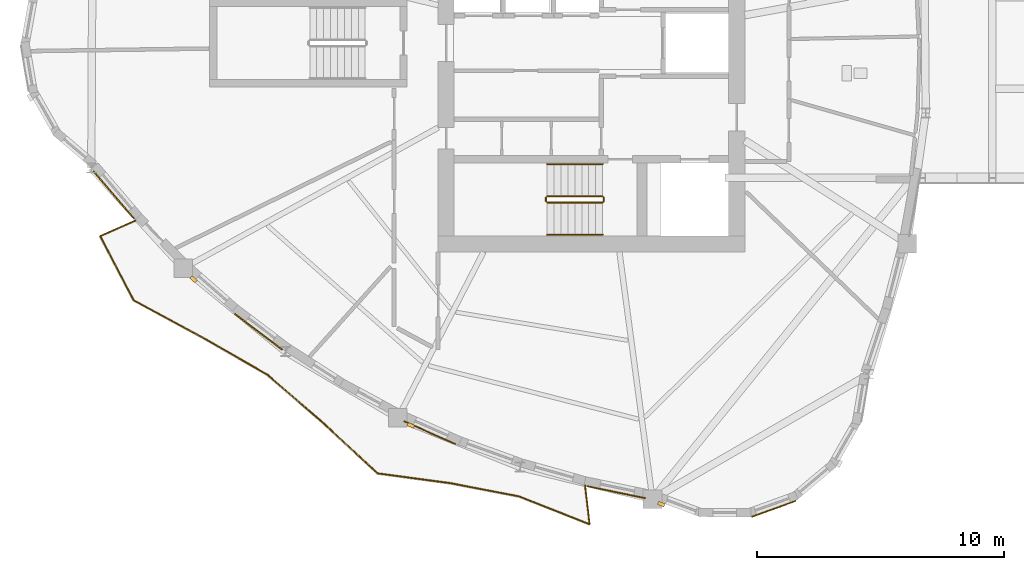
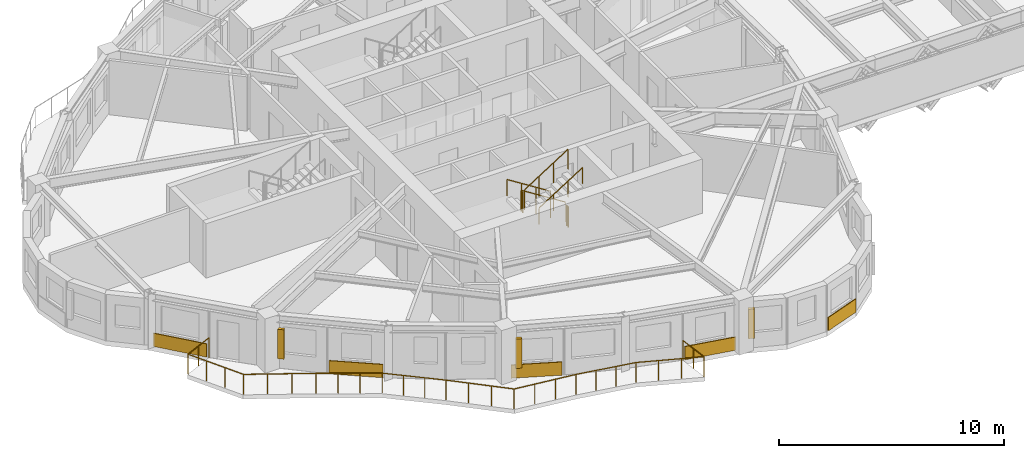
# One storey, part 10 of 13: 7 railings, 5 coverings, 3 shading devices.
"""IFC4 building model written with IfcOpenShell, lengths in metres."""

from ifc_helpers import new_model, si_unit, direction, frame, origin, origin_2d, place, context, subcontext, project, spatial, rectangle, circle, extrude, source, transform, mapped, material, layer, layer_set, type_object, element, save


model = new_model("IFC4")

# Units and contexts
model_context = context("Model", 3, precision=1e-05, world=origin(), true_north=direction((0.0, 1.0)))
body_context = subcontext(model_context, "Body", "Model", "MODEL_VIEW")
ifc_project = project(units=[si_unit("LENGTHUNIT", "METRE"), si_unit("AREAUNIT", "SQUARE_METRE"), si_unit("VOLUMEUNIT", "CUBIC_METRE"), si_unit("PLANEANGLEUNIT", "RADIAN"), si_unit("MASSUNIT", "GRAM", prefix="KILO")], contexts=[model_context])

# Site, building, storey
site_placement = place(None, origin())
site = spatial("IfcSite", under=ifc_project, at=site_placement, CompositionType="ELEMENT")
building_placement = place(site_placement, origin())
building = spatial("IfcBuilding", under=site, at=building_placement, Name="Qafzar Sky-Pleat Residences", CompositionType="ELEMENT")
storey_placement = place(building_placement, frame((0.0, 0.0, 158.60009765625)))
storey = spatial("IfcBuildingStorey", under=building, at=storey_placement, Name="L47", CompositionType="ELEMENT", Elevation=158.60009765625)

# Shading devices
ifc_material_1 = material(Name="Honed Riyadh limestone solar fin", Category="masonry")
ifc_layer_1 = layer(ifc_material_1, 0.139892578125)
ifc_layer_set_1 = layer_set([ifc_layer_1], Name="Honed Riyadh limestone solar fin")
shading_device_type = type_object("IfcShadingDeviceType", Name="SHD-FIN-STONE", PredefinedType="SHUTTER", material=ifc_layer_set_1)
shared_shape_1 = source(origin(), body_context, "Body", "SweptSolid", [
    extrude(rectangle(XDim=0.139892578125, YDim=0.280029296875, at=origin_2d()), origin(), (0.0, 0.0, 1.0), 1.60009765625),
])
for number, where, z_axis, x_axis, name in (
    (1, (14.259033203125, 16.4443359375, 0.599853515625), (0.0, 0.0, 1.0), (-0.66015795456, -0.751126803563, 0.0), "L47 Limestone Solar Fin 9"),
    (2, (23.052001953125, 10.533935546875, 0.599853515625), (0.0, 0.0, 1.0), (-0.407523392888, -0.913194767971, 0.0), "L47 Limestone Solar Fin 13"),
    (3, (33.17236328125, 7.3525390625, 0.599853515625), (0.0, 0.0, 1.0), (-0.349591808799, -0.936902111867, 0.0), "L47 Limestone Solar Fin 17"),
):
    element("IfcShadingDevice", number, at=place(storey_placement, frame(where, z_axis=z_axis, x_axis=x_axis)), inside=storey, type_object=shading_device_type, Name=name, PredefinedType="SHUTTER", context=body_context, shape_type="MappedRepresentation", body=[
        mapped(shared_shape_1, transform((0.0, 0.0, 0.0), x_axis=(1.0, 0.0, 0.0), y_axis=(0.0, 1.0, 0.0), z_axis=(0.0, 0.0, 1.0), scale=1.0)),
    ])

# Railing
ifc_material_2 = material(Name="Laminated glass and bronze steel balustrade", Category="steel")
railing_type_1 = type_object("IfcRailingType", Name="RAIL-BAL-1100", PredefinedType="BALUSTRADE", material=ifc_material_2)
shared_shape_2 = source(origin(), body_context, "Body", "SweptSolid", [
    extrude(circle(Radius=0.02392578125, at=origin_2d()), frame((0.0, 0.0, 1.076171875), z_axis=(-0.913242763887, -0.407415824689, 0.0), x_axis=(0.407415824689, -0.913242763887, 0.0)), (0.0, 0.0, 1.0), 1.577880859375),
    extrude(circle(Radius=0.02392578125, at=origin_2d()), frame((-1.44091796875, -0.642822265625, 1.076171875), z_axis=(0.463779078559, -0.88595088255, 0.0), x_axis=(0.88595088255, 0.463779078559, 0.0)), (0.0, 0.0, 1.0), 2.922119140625),
    extrude(circle(Radius=0.02392578125, at=origin_2d()), frame((-0.085693359375, -3.231689453125, 1.076171875), z_axis=(0.879301197534, -0.476266106305, 0.0), x_axis=(0.476266106305, 0.879301197534, 0.0)), (0.0, 0.0, 1.0), 3.23046875),
    extrude(circle(Radius=0.02392578125, at=origin_2d()), frame((2.7548828125, -4.770263671875, 1.076171875), z_axis=(0.867569052285, -0.49731673963, 0.0), x_axis=(0.49731673963, 0.867569052285, 0.0)), (0.0, 0.0, 1.0), 2.945556640625),
    extrude(circle(Radius=0.02392578125, at=origin_2d()), frame((5.310302734375, -6.235107421875, 1.076171875), z_axis=(0.75730029901, -0.653066809078, 0.0), x_axis=(0.653066809078, 0.75730029901, 0.0)), (0.0, 0.0, 1.0), 2.8857421875),
    extrude(circle(Radius=0.02392578125, at=origin_2d()), frame((7.49560546875, -8.11962890625, 1.076171875), z_axis=(0.734057417047, -0.67908740857, 0.0), x_axis=(0.67908740857, 0.734057417047, 0.0)), (0.0, 0.0, 1.0), 3.11328125),
    extrude(circle(Radius=0.02392578125, at=origin_2d()), frame((9.781005859375, -10.23388671875, 1.076171875), z_axis=(0.991073421264, -0.133317191933, 0.0), x_axis=(0.133317191933, 0.991073421264, 0.0)), (0.0, 0.0, 1.0), 2.966552734375),
    extrude(circle(Radius=0.02392578125, at=origin_2d()), frame((12.72119140625, -10.62939453125, 1.076171875), z_axis=(0.981967689152, -0.189048822958, 0.0), x_axis=(0.189048822958, 0.981967689152, 0.0)), (0.0, 0.0, 1.0), 2.83203125),
    extrude(circle(Radius=0.02392578125, at=origin_2d()), frame((15.502197265625, -11.164794921875, 1.076171875), z_axis=(0.929959452152, -0.367662096705, 0.0), x_axis=(0.367662096705, 0.929959452152, 0.0)), (0.0, 0.0, 1.0), 3.061767578125),
    extrude(circle(Radius=0.02392578125, at=origin_2d()), frame((18.349609375, -12.29052734375, 1.076171875), z_axis=(-0.116203811721, 0.993225389396, 0.0), x_axis=(-0.993225389396, -0.116203811721, 0.0)), (0.0, 0.0, 1.0), 1.577880859375),
    extrude(circle(Radius=0.02099609375, at=origin_2d()), origin(), (0.0, 0.0, 1.0), 1.052001953125),
    extrude(circle(Radius=0.02099609375, at=origin_2d()), frame((-0.720458984375, -0.3212890625, 0.0)), (0.0, 0.0, 1.0), 1.052001953125),
    extrude(circle(Radius=0.02099609375, at=origin_2d()), frame((-1.44091796875, -0.642822265625, 0.0)), (0.0, 0.0, 1.0), 1.052001953125),
    extrude(circle(Radius=0.02099609375, at=origin_2d()), frame((-0.9892578125, -1.505859375, 0.0)), (0.0, 0.0, 1.0), 1.052001953125),
    extrude(circle(Radius=0.02099609375, at=origin_2d()), frame((-0.537353515625, -2.36865234375, 0.0)), (0.0, 0.0, 1.0), 1.052001953125),
    extrude(circle(Radius=0.02099609375, at=origin_2d()), frame((-0.085693359375, -3.231689453125, 0.0)), (0.0, 0.0, 1.0), 1.052001953125),
    extrude(circle(Radius=0.02099609375, at=origin_2d()), frame((0.861083984375, -3.74462890625, 0.0)), (0.0, 0.0, 1.0), 1.052001953125),
    extrude(circle(Radius=0.02099609375, at=origin_2d()), frame((1.80810546875, -4.25732421875, 0.0)), (0.0, 0.0, 1.0), 1.052001953125),
    extrude(circle(Radius=0.02099609375, at=origin_2d()), frame((2.7548828125, -4.770263671875, 0.0)), (0.0, 0.0, 1.0), 1.052001953125),
    extrude(circle(Radius=0.02099609375, at=origin_2d()), frame((3.606689453125, -5.258544921875, 0.0)), (0.0, 0.0, 1.0), 1.052001953125),
    extrude(circle(Radius=0.02099609375, at=origin_2d()), frame((4.45849609375, -5.746826171875, 0.0)), (0.0, 0.0, 1.0), 1.052001953125),
    extrude(circle(Radius=0.02099609375, at=origin_2d()), frame((5.310302734375, -6.235107421875, 0.0)), (0.0, 0.0, 1.0), 1.052001953125),
    extrude(circle(Radius=0.02099609375, at=origin_2d()), frame((6.038818359375, -6.86328125, 0.0)), (0.0, 0.0, 1.0), 1.052001953125),
    extrude(circle(Radius=0.02099609375, at=origin_2d()), frame((6.76708984375, -7.491455078125, 0.0)), (0.0, 0.0, 1.0), 1.052001953125),
    extrude(circle(Radius=0.02099609375, at=origin_2d()), frame((7.49560546875, -8.11962890625, 0.0)), (0.0, 0.0, 1.0), 1.052001953125),
    extrude(circle(Radius=0.02099609375, at=origin_2d()), frame((8.25732421875, -8.824462890625, 0.0)), (0.0, 0.0, 1.0), 1.052001953125),
    extrude(circle(Radius=0.02099609375, at=origin_2d()), frame((9.019287109375, -9.529052734375, 0.0)), (0.0, 0.0, 1.0), 1.052001953125),
    extrude(circle(Radius=0.02099609375, at=origin_2d()), frame((9.781005859375, -10.23388671875, 0.0)), (0.0, 0.0, 1.0), 1.052001953125),
    extrude(circle(Radius=0.02099609375, at=origin_2d()), frame((10.760986328125, -10.36572265625, 0.0)), (0.0, 0.0, 1.0), 1.052001953125),
    extrude(circle(Radius=0.02099609375, at=origin_2d()), frame((11.7412109375, -10.49755859375, 0.0)), (0.0, 0.0, 1.0), 1.052001953125),
    extrude(circle(Radius=0.02099609375, at=origin_2d()), frame((12.72119140625, -10.62939453125, 0.0)), (0.0, 0.0, 1.0), 1.052001953125),
    extrude(circle(Radius=0.02099609375, at=origin_2d()), frame((13.648193359375, -10.807861328125, 0.0)), (0.0, 0.0, 1.0), 1.052001953125),
    extrude(circle(Radius=0.02099609375, at=origin_2d()), frame((14.5751953125, -10.986328125, 0.0)), (0.0, 0.0, 1.0), 1.052001953125),
    extrude(circle(Radius=0.02099609375, at=origin_2d()), frame((15.502197265625, -11.164794921875, 0.0)), (0.0, 0.0, 1.0), 1.052001953125),
    extrude(circle(Radius=0.02099609375, at=origin_2d()), frame((16.451416015625, -11.5400390625, 0.0)), (0.0, 0.0, 1.0), 1.052001953125),
    extrude(circle(Radius=0.02099609375, at=origin_2d()), frame((17.400390625, -11.915283203125, 0.0)), (0.0, 0.0, 1.0), 1.052001953125),
    extrude(circle(Radius=0.02099609375, at=origin_2d()), frame((18.349609375, -12.29052734375, 0.0)), (0.0, 0.0, 1.0), 1.052001953125),
    extrude(circle(Radius=0.02099609375, at=origin_2d()), frame((18.2578125, -11.5068359375, 0.0)), (0.0, 0.0, 1.0), 1.052001953125),
    extrude(circle(Radius=0.02099609375, at=origin_2d()), frame((18.166259765625, -10.723388671875, 0.0)), (0.0, 0.0, 1.0), 1.052001953125),
])
railing_1_placement = place(storey_placement, frame((11.92529296875, 18.8291015625, 0.0)))
element("IfcRailing", 4, at=railing_1_placement, inside=storey, type_object=railing_type_1, Name="L47 Pleated Balcony 2 Balustrade", PredefinedType="BALUSTRADE", context=body_context, shape_type="MappedRepresentation", body=[
    mapped(shared_shape_2, transform((0.0, 0.0, 0.0), x_axis=(1.0, 0.0, 0.0), y_axis=(0.0, 1.0, 0.0), z_axis=(0.0, 0.0, 1.0), scale=1.0)),
])

# Coverings
ifc_material_3 = material(Name="Honed Riyadh Tuwaiq limestone cladding", Category="masonry")
ifc_layer_2 = layer(ifc_material_3, 0.044921875)
ifc_layer_set_2 = layer_set([ifc_layer_2], Name="Honed Riyadh Tuwaiq limestone cladding")
covering_type = type_object("IfcCoveringType", Name="COV-CLAD-STONE", PredefinedType="CLADDING", material=ifc_layer_set_2)
shared_shape_3 = source(origin(), body_context, "Body", "SweptSolid", [
    extrude(rectangle(XDim=2.522705078125, YDim=0.044921875, at=origin_2d()), origin(), (0.0, 0.0, 1.0), 0.719970703125),
])
covering_1_placement = place(storey_placement, frame((11.032958984375, 19.855712890625, 0.02001953125), z_axis=(0.0, 0.0, 1.0), x_axis=(0.650335864114, -0.759646802038, 0.0)))
element("IfcCovering", 5, at=covering_1_placement, inside=storey, type_object=covering_type, Name="L47 Riyadh Limestone Spandrel Cladding 7", PredefinedType="CLADDING", context=body_context, shape_type="MappedRepresentation", body=[
    mapped(shared_shape_3, transform((0.0, 0.0, 0.0), x_axis=(1.0, 0.0, 0.0), y_axis=(0.0, 1.0, 0.0), z_axis=(0.0, 0.0, 1.0), scale=1.0)),
])
shared_shape_4 = source(origin(), body_context, "Body", "SweptSolid", [
    extrude(rectangle(XDim=2.403076171875, YDim=0.044921875, at=origin_2d()), origin(), (0.0, 0.0, 1.0), 0.719970703125),
])
covering_2_placement = place(storey_placement, frame((16.8857421875, 14.321044921875, 0.02001953125), z_axis=(0.0, 0.0, 1.0), x_axis=(0.798031812504, -0.602615321936, 0.0)))
element("IfcCovering", 6, at=covering_2_placement, inside=storey, type_object=covering_type, Name="L47 Riyadh Limestone Spandrel Cladding 10", PredefinedType="CLADDING", context=body_context, shape_type="MappedRepresentation", body=[
    mapped(shared_shape_4, transform((0.0, 0.0, 0.0), x_axis=(1.0, 0.0, 0.0), y_axis=(0.0, 1.0, 0.0), z_axis=(0.0, 0.0, 1.0), scale=1.0)),
])
shared_shape_5 = source(origin(), body_context, "Body", "SweptSolid", [
    extrude(rectangle(XDim=2.281494140625, YDim=0.044921875, at=origin_2d()), origin(), (0.0, 0.0, 1.0), 0.719970703125),
])
covering_3_placement = place(storey_placement, frame((23.80908203125, 10.2431640625, 0.02001953125), z_axis=(0.0, 0.0, 1.0), x_axis=(0.913200537505, -0.407510464038, 0.0)))
element("IfcCovering", 7, at=covering_3_placement, inside=storey, type_object=covering_type, Name="L47 Riyadh Limestone Spandrel Cladding 13", PredefinedType="CLADDING", context=body_context, shape_type="MappedRepresentation", body=[
    mapped(shared_shape_5, transform((0.0, 0.0, 0.0), x_axis=(1.0, 0.0, 0.0), y_axis=(0.0, 1.0, 0.0), z_axis=(0.0, 0.0, 1.0), scale=1.0)),
])
shared_shape_6 = source(origin(), body_context, "Body", "SweptSolid", [
    extrude(rectangle(XDim=2.401123046875, YDim=0.044921875, at=origin_2d()), origin(), (0.0, 0.0, 1.0), 0.719970703125),
])
covering_4_placement = place(storey_placement, frame((31.35498046875, 7.833984375, 0.02001953125), z_axis=(0.0, 0.0, 1.0), x_axis=(0.979318332698, -0.202325488363, 0.0)))
element("IfcCovering", 8, at=covering_4_placement, inside=storey, type_object=covering_type, Name="L47 Riyadh Limestone Spandrel Cladding 16", PredefinedType="CLADDING", context=body_context, shape_type="MappedRepresentation", body=[
    mapped(shared_shape_6, transform((0.0, 0.0, 0.0), x_axis=(1.0, 0.0, 0.0), y_axis=(0.0, 1.0, 0.0), z_axis=(0.0, 0.0, 1.0), scale=1.0)),
])
shared_shape_7 = source(origin(), body_context, "Body", "SweptSolid", [
    extrude(rectangle(XDim=1.89794921875, YDim=0.044921875, at=origin_2d()), origin(), (0.0, 0.0, 1.0), 0.719970703125),
])
covering_5_placement = place(storey_placement, frame((37.7177734375, 7.1591796875, 0.02001953125), z_axis=(0.0, 0.0, 1.0), x_axis=(0.940231559433, 0.340535775867, 0.0)))
element("IfcCovering", 9, at=covering_5_placement, inside=storey, type_object=covering_type, Name="L47 Riyadh Limestone Spandrel Cladding 19", PredefinedType="CLADDING", context=body_context, shape_type="MappedRepresentation", body=[
    mapped(shared_shape_7, transform((0.0, 0.0, 0.0), x_axis=(1.0, 0.0, 0.0), y_axis=(0.0, 1.0, 0.0), z_axis=(0.0, 0.0, 1.0), scale=1.0)),
])

# Railings
ifc_material_4 = material(Name="Painted Steel S355 stair guardrail", Category="steel")
railing_type_2 = type_object("IfcRailingType", Name="RAIL-STAIR-GUARD", PredefinedType="GUARDRAIL", material=ifc_material_4)
shared_shape_8 = source(origin(), body_context, "Body", "SweptSolid", [
    extrude(circle(Radius=0.02392578125, at=origin_2d()), frame((0.0, 0.0, 1.076171875), z_axis=(0.0, -1.0, 0.0), x_axis=(1.0, 0.0, 0.0)), (0.0, 0.0, 1.0), 0.14990234375),
    extrude(circle(Radius=0.02099609375, at=origin_2d()), origin(), (0.0, 0.0, 1.0), 1.052001953125),
    extrude(circle(Radius=0.02099609375, at=origin_2d()), frame((0.0, -0.14990234375, 0.0)), (0.0, 0.0, 1.0), 1.052001953125),
])
for number, where, name in (
    (10, (28.510009765625, 19.75, 1.599853515625), "L47 ST1 stair guard 2"),
    (11, (30.85009765625, 19.75, 0.0), "L47 ST1 stair guard 4"),
):
    element("IfcRailing", number, at=place(storey_placement, frame(where)), inside=storey, type_object=railing_type_2, Name=name, PredefinedType="GUARDRAIL", context=body_context, shape_type="MappedRepresentation", body=[
        mapped(shared_shape_8, transform((0.0, 0.0, 0.0), x_axis=(1.0, 0.0, 0.0), y_axis=(0.0, 1.0, 0.0), z_axis=(0.0, 0.0, 1.0), scale=1.0)),
    ])
shared_shape_9 = source(origin(), body_context, "Body", "SweptSolid", [
    extrude(circle(Radius=0.02392578125, at=origin_2d()), frame((0.0, 0.0, 1.076171875), z_axis=(-0.8442293374, 0.0, 0.53598211339), x_axis=(0.0, -1.0, 0.0)), (0.0, 0.0, 1.0), 2.6533203125),
    extrude(circle(Radius=0.02099609375, at=origin_2d()), origin(), (0.0, 0.0, 1.0), 1.052001953125),
    extrude(circle(Radius=0.02099609375, at=origin_2d()), frame((-0.74658203125, 0.0, 0.47412109375)), (0.0, 0.0, 1.0), 1.052001953125),
    extrude(circle(Radius=0.02099609375, at=origin_2d()), frame((-1.493408203125, 0.0, 0.947998046875)), (0.0, 0.0, 1.0), 1.052001953125),
    extrude(circle(Radius=0.02099609375, at=origin_2d()), frame((-2.239990234375, 0.0, 1.422119140625)), (0.0, 0.0, 1.0), 1.052001953125),
])
railing_2_placement = place(storey_placement, frame((30.800048828125, 19.800048828125, 0.177734375)))
element("IfcRailing", 12, at=railing_2_placement, inside=storey, type_object=railing_type_2, Name="L47 ST1 stair guard 1", PredefinedType="GUARDRAIL", context=body_context, shape_type="MappedRepresentation", body=[
    mapped(shared_shape_9, transform((0.0, 0.0, 0.0), x_axis=(1.0, 0.0, 0.0), y_axis=(0.0, 1.0, 0.0), z_axis=(0.0, 0.0, 1.0), scale=1.0)),
])
ifc_material_5 = material(Name="Brushed stainless steel handrail", Category="steel")
railing_type_3 = type_object("IfcRailingType", Name="RAIL-STAIR-HAND", PredefinedType="HANDRAIL", material=ifc_material_5)
shared_shape_10 = source(origin(), body_context, "Body", "SweptSolid", [
    extrude(circle(Radius=0.02392578125, at=origin_2d()), frame((0.0, 0.0, 0.8759765625), z_axis=(-0.8442293374, 0.0, 0.53598211339), x_axis=(0.0, -1.0, 0.0)), (0.0, 0.0, 1.0), 2.6533203125),
    extrude(circle(Radius=0.02099609375, at=origin_2d()), origin(), (0.0, 0.0, 1.0), 0.851806640625),
    extrude(circle(Radius=0.02099609375, at=origin_2d()), frame((-0.74658203125, 0.0, 0.47412109375)), (0.0, 0.0, 1.0), 0.851806640625),
    extrude(circle(Radius=0.02099609375, at=origin_2d()), frame((-1.493408203125, 0.0, 0.947998046875)), (0.0, 0.0, 1.0), 0.851806640625),
    extrude(circle(Radius=0.02099609375, at=origin_2d()), frame((-2.239990234375, 0.0, 1.422119140625)), (0.0, 0.0, 1.0), 0.851806640625),
])
railing_3_placement = place(storey_placement, frame((30.800048828125, 21.10009765625, 0.177734375)))
element("IfcRailing", 13, at=railing_3_placement, inside=storey, type_object=railing_type_3, Name="L47 ST1 stair handrail 1", PredefinedType="HANDRAIL", context=body_context, shape_type="MappedRepresentation", body=[
    mapped(shared_shape_10, transform((0.0, 0.0, 0.0), x_axis=(1.0, 0.0, 0.0), y_axis=(0.0, 1.0, 0.0), z_axis=(0.0, 0.0, 1.0), scale=1.0)),
])
shared_shape_11 = source(origin(), body_context, "Body", "SweptSolid", [
    extrude(circle(Radius=0.02392578125, at=origin_2d()), frame((0.0, 0.0, 1.076171875), z_axis=(0.84418770128, 0.0, 0.536047689118), x_axis=(0.0, 1.0, 0.0)), (0.0, 0.0, 1.0), 2.6533203125),
    extrude(circle(Radius=0.02099609375, at=origin_2d()), origin(), (0.0, 0.0, 1.0), 1.052001953125),
    extrude(circle(Radius=0.02099609375, at=origin_2d()), frame((0.74658203125, 0.0, 0.47412109375)), (0.0, 0.0, 1.0), 1.052001953125),
    extrude(circle(Radius=0.02099609375, at=origin_2d()), frame((1.493408203125, 0.0, 0.9482421875)), (0.0, 0.0, 1.0), 1.052001953125),
    extrude(circle(Radius=0.02099609375, at=origin_2d()), frame((2.239990234375, 0.0, 1.42236328125)), (0.0, 0.0, 1.0), 1.052001953125),
])
railing_4_placement = place(storey_placement, frame((28.56005859375, 19.550048828125, 1.777587890625)))
element("IfcRailing", 14, at=railing_4_placement, inside=storey, type_object=railing_type_2, Name="L47 ST1 stair guard 3", PredefinedType="GUARDRAIL", context=body_context, shape_type="MappedRepresentation", body=[
    mapped(shared_shape_11, transform((0.0, 0.0, 0.0), x_axis=(1.0, 0.0, 0.0), y_axis=(0.0, 1.0, 0.0), z_axis=(0.0, 0.0, 1.0), scale=1.0)),
])
shared_shape_12 = source(origin(), body_context, "Body", "SweptSolid", [
    extrude(circle(Radius=0.02392578125, at=origin_2d()), frame((0.0, 0.0, 0.8759765625), z_axis=(0.84418770128, 0.0, 0.536047689118), x_axis=(0.0, 1.0, 0.0)), (0.0, 0.0, 1.0), 2.6533203125),
    extrude(circle(Radius=0.02099609375, at=origin_2d()), origin(), (0.0, 0.0, 1.0), 0.851806640625),
    extrude(circle(Radius=0.02099609375, at=origin_2d()), frame((0.74658203125, 0.0, 0.47412109375)), (0.0, 0.0, 1.0), 0.851806640625),
    extrude(circle(Radius=0.02099609375, at=origin_2d()), frame((1.493408203125, 0.0, 0.9482421875)), (0.0, 0.0, 1.0), 0.851806640625),
    extrude(circle(Radius=0.02099609375, at=origin_2d()), frame((2.239990234375, 0.0, 1.42236328125)), (0.0, 0.0, 1.0), 0.851806640625),
])
railing_5_placement = place(storey_placement, frame((28.56005859375, 18.25, 1.777587890625)))
element("IfcRailing", 15, at=railing_5_placement, inside=storey, type_object=railing_type_3, Name="L47 ST1 stair handrail 2", PredefinedType="HANDRAIL", context=body_context, shape_type="MappedRepresentation", body=[
    mapped(shared_shape_12, transform((0.0, 0.0, 0.0), x_axis=(1.0, 0.0, 0.0), y_axis=(0.0, 1.0, 0.0), z_axis=(0.0, 0.0, 1.0), scale=1.0)),
])

save(model, "model.ifc")
